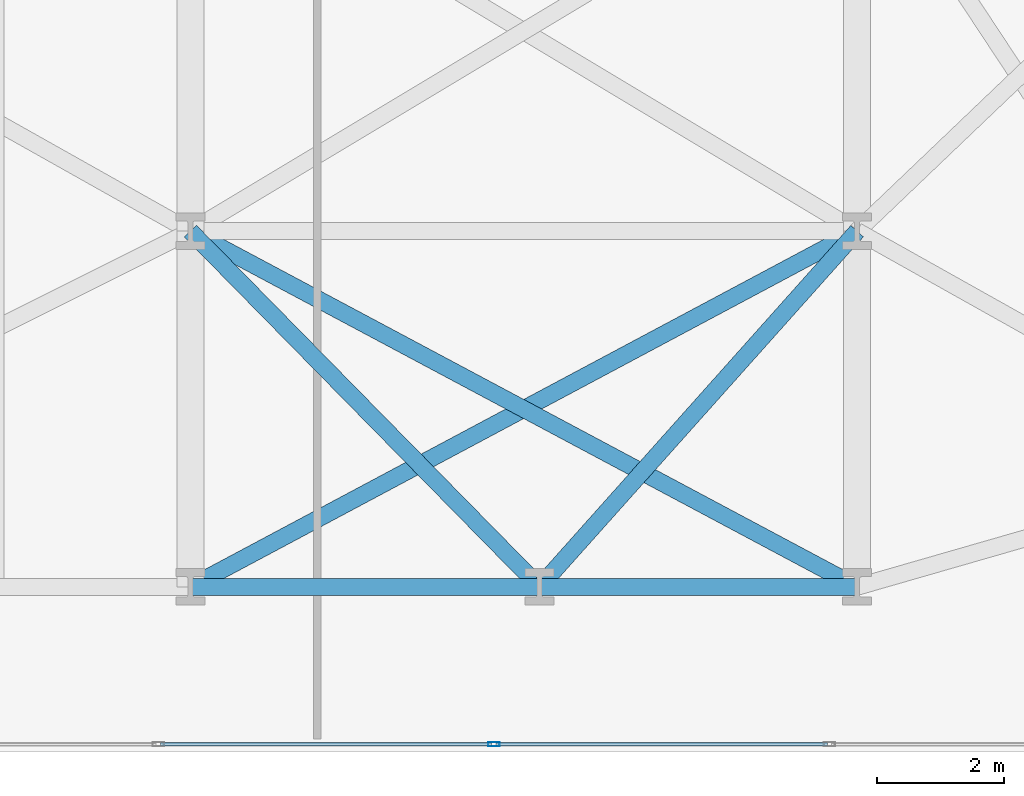
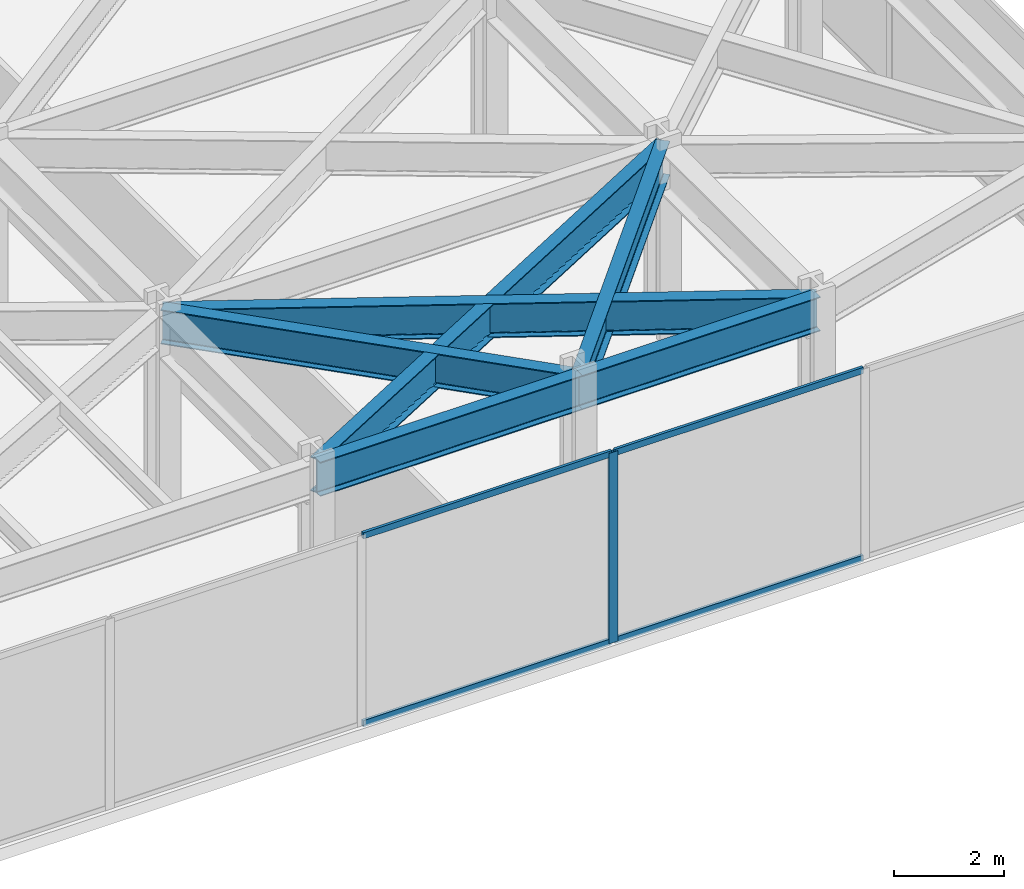
# One storey, part 17 of 28: 6 beams, 5 members, 1 element without a shape of its own.
"""IFC4 building model written with IfcOpenShell, lengths in metres."""

import ifcopenshell
import ifcopenshell.guid

model = None  # the IFC model being written
_history = None  # IfcOwnerHistory: only IFC2X3 demands one
_inside = {}  # id of a spatial element -> (the spatial element, [elements in it])
_under = {}  # id of a project, library or spatial element -> (it, [spatial elements below it])
_declared = {}  # id of a project -> (the project, [libraries it declares])
_typed = {}  # id of a type object -> (the type object, [elements of that type])
_made_of = {}  # id of a material, layer set ... -> (it, [elements and type objects made of it])


def new_model(schema):
    """Start an empty IFC model of exactly this schema.

    Asked for "IFC4X3", IfcOpenShell would pick the latest addendum, in which some entities
    have other attributes; the version numbers below select the first issue.
    IFC2X3 requires an IfcOwnerHistory on every rooted entity: one is made here for all.
    """
    global model, _history
    if schema == "IFC4X3":
        model = ifcopenshell.file(schema_version=(4, 3, 0, 0))
    else:
        model = ifcopenshell.file(schema=schema)
    _inside.clear()
    _under.clear()
    _declared.clear()
    _typed.clear()
    _made_of.clear()
    _history = None
    if model.schema == "IFC2X3":
        org = make("IfcOrganization", Name="unknown")
        user = make(
            "IfcPersonAndOrganization",
            ThePerson=make("IfcPerson", FamilyName="unknown"),
            TheOrganization=org,
        )
        app = make(
            "IfcApplication",
            ApplicationDeveloper=org,
            Version="unknown",
            ApplicationFullName="unknown",
            ApplicationIdentifier="unknown",
        )
        _history = make(
            "IfcOwnerHistory",
            OwningUser=user,
            OwningApplication=app,
            ChangeAction="ADDED",
            CreationDate=0,
        )
    return model


def make(cls, **values):
    """One entity of the class cls with the attributes given. An attribute that is None is left unset."""
    return model.create_entity(
        cls, **{name: value for name, value in values.items() if value is not None}
    )


def rooted(cls, **values):
    """An entity with a GlobalId (a new one), such as an element, a storey or a relation."""
    return make(cls, GlobalId=ifcopenshell.guid.new(), OwnerHistory=_history, **values)


def si_unit(unit_type, name, prefix=None):
    """IfcSIUnit, for example si_unit("LENGTHUNIT", "METRE", prefix="MILLI")."""
    return make("IfcSIUnit", UnitType=unit_type, Prefix=prefix, Name=name)


def assignment(units):
    """IfcUnitAssignment: the units of a project."""
    return None if units is None else make("IfcUnitAssignment", Units=units)


def point(xyz):
    """IfcCartesianPoint."""
    return None if xyz is None else make("IfcCartesianPoint", Coordinates=xyz)


def direction(xyz):
    """IfcDirection."""
    return None if xyz is None else make("IfcDirection", DirectionRatios=xyz)


def frame(location, z_axis=None, x_axis=None):
    """IfcAxis2Placement3D, a coordinate frame: its origin and axes. An axis left out is left unset."""
    return make(
        "IfcAxis2Placement3D",
        Location=point(location),
        Axis=direction(z_axis),
        RefDirection=direction(x_axis),
    )


def frame_2d(location, x_axis=None):
    """IfcAxis2Placement2D, a coordinate frame in the plane: its origin and x axis."""
    return make(
        "IfcAxis2Placement2D", Location=point(location), RefDirection=direction(x_axis)
    )


def origin():
    """The frame at (0, 0, 0) with its axes left unset."""
    return frame((0.0, 0.0, 0.0))


def origin_2d():
    """The frame at (0, 0) in the plane with its x axis left unset."""
    return frame_2d((0.0, 0.0))


def place(relative_to, where):
    """IfcLocalPlacement: puts the frame where relative to a parent placement (None: the world)."""
    return make(
        "IfcLocalPlacement", PlacementRelTo=relative_to, RelativePlacement=where
    )


def context(
    kind, dimensions, precision=None, world=None, true_north=None, identifier=None
):
    """IfcGeometricRepresentationContext, for example the 3D "Model" context."""
    return make(
        "IfcGeometricRepresentationContext",
        ContextIdentifier=identifier,
        ContextType=kind,
        CoordinateSpaceDimension=dimensions,
        Precision=precision,
        WorldCoordinateSystem=world,
        TrueNorth=true_north,
    )


def subcontext(parent, identifier, kind, view, scale=None):
    """IfcGeometricRepresentationSubContext, for example "Body" below "Model"."""
    return make(
        "IfcGeometricRepresentationSubContext",
        ContextIdentifier=identifier,
        ContextType=kind,
        ParentContext=parent,
        TargetScale=scale,
        TargetView=view,
    )


def project(units=None, contexts=None):
    """IfcProject with its units and contexts."""
    return rooted(
        "IfcProject",
        Name="project",
        RepresentationContexts=contexts,
        UnitsInContext=assignment(units),
    )


def spatial(cls, under=None, at=None, **own):
    """A site, building, storey or space (cls), placed at a placement, below another one or the project."""
    s = rooted(cls, ObjectPlacement=at, **own)
    if under is not None:
        _under.setdefault(under.id(), (under, []))[1].append(s)
    return s


def profile(cls, at=None, kind="AREA", **sizes):
    """A parametric profile (cls). Its sizes go by their IFC names, for example OverallWidth=200.0."""
    return make(cls, ProfileType=kind, Position=at, **sizes)


def hollow_rectangle(**sizes):
    """IfcRectangleHollowProfileDef."""
    return profile("IfcRectangleHollowProfileDef", **sizes)


def i_section(**sizes):
    """IfcIShapeProfileDef."""
    return profile("IfcIShapeProfileDef", **sizes)


def extrude(swept, where, along, depth):
    """IfcExtrudedAreaSolid: the profile swept, set in the frame where, extruded along a direction by depth."""
    return make(
        "IfcExtrudedAreaSolid",
        SweptArea=swept,
        Position=where,
        ExtrudedDirection=direction(along),
        Depth=depth,
    )


def shape(context_of_items, identifier, shape_type, items):
    """IfcShapeRepresentation: the items that make up one representation, for example the "Body"."""
    return make(
        "IfcShapeRepresentation",
        ContextOfItems=context_of_items,
        RepresentationIdentifier=identifier,
        RepresentationType=shape_type,
        Items=items,
    )


def material(Name=None, Category=None):
    """IfcMaterial."""
    return make("IfcMaterial", Name=Name, Category=Category)


def layer(
    of_material, thickness, ventilated=None, Name=None, Category=None, Priority=None
):
    """IfcMaterialLayer: one layer of a wall or slab, of a material (None: an air gap)."""
    return make(
        "IfcMaterialLayer",
        Material=of_material,
        LayerThickness=thickness,
        IsVentilated=ventilated,
        Name=Name,
        Category=Category,
        Priority=Priority,
    )


def layer_set(layers, Name=None):
    """IfcMaterialLayerSet."""
    return make("IfcMaterialLayerSet", MaterialLayers=layers, LayerSetName=Name)


def material_profile(
    of_material, cross_section, Name=None, Category=None, Priority=None
):
    """IfcMaterialProfile: a cross section and its material."""
    return make(
        "IfcMaterialProfile",
        Name=Name,
        Material=of_material,
        Profile=cross_section,
        Priority=Priority,
        Category=Category,
    )


def profile_set(profiles, Name=None, composite=None):
    """IfcMaterialProfileSet."""
    return make(
        "IfcMaterialProfileSet",
        Name=Name,
        MaterialProfiles=profiles,
        CompositeProfile=composite,
    )


def made_of(thing, what):
    """Note that an element or type object is made of a material, layer set ...; save() writes the relation."""
    if what is not None:
        _made_of.setdefault(what.id(), (what, []))[1].append(thing)
    return thing


def type_object(cls, material=None, **own):
    """A type object (cls), such as IfcWallType, which elements share."""
    return made_of(rooted(cls, **own), material)


def element(
    cls,
    number,
    at=None,
    inside=None,
    cuts=None,
    type_object=None,
    material=None,
    context=None,
    identifier="Body",
    shape_type=None,
    held_by="IfcProductDefinitionShape",
    body=None,
    shapes=None,
    **own,
):
    """One element of the class cls, such as IfcWall. Its Tag is "e" and its number.

    at: its placement. inside: the storey or other place that contains it. cuts: it is an
    opening in that element (IfcRelVoidsElement). A single representation is given by context,
    identifier, shape_type and body (its items); several are given by shapes. held_by: the class
    of the entity that holds the representations. save() writes the other relations.
    """
    e = rooted(cls, Tag="e%d" % number, ObjectPlacement=at, **own)
    if body is not None:
        shapes = [shape(context, identifier, shape_type, body)]
    if shapes is not None:
        e.Representation = make(held_by, Representations=shapes)
    if inside is not None:
        _inside.setdefault(inside.id(), (inside, []))[1].append(e)
    if cuts is not None:
        rooted(
            "IfcRelVoidsElement", RelatingBuildingElement=cuts, RelatedOpeningElement=e
        )
    if type_object is not None:
        _typed.setdefault(type_object.id(), (type_object, []))[1].append(e)
    return made_of(e, material)


def aggregate(whole, parts):
    """IfcRelAggregates: a whole, such as a stair, and the parts it consists of."""
    return rooted("IfcRelAggregates", RelatingObject=whole, RelatedObjects=parts)


def save(model, path):
    """Write the relations noted so far, then the file.

    IfcRelAggregates (storeys below a building ...), IfcRelContainedInSpatialStructure (elements
    in a storey), IfcRelDefinesByType, IfcRelAssociatesMaterial and IfcRelDeclares: one each for
    every whole, place, type object, material and project.
    """
    for whole, parts in _under.values():
        aggregate(whole, parts)
    for where, things in _inside.values():
        rooted(
            "IfcRelContainedInSpatialStructure",
            RelatedElements=things,
            RelatingStructure=where,
        )
    for kind, things in _typed.values():
        rooted("IfcRelDefinesByType", RelatedObjects=things, RelatingType=kind)
    for what, things in _made_of.values():
        rooted("IfcRelAssociatesMaterial", RelatedObjects=things, RelatingMaterial=what)
    for by, libraries in _declared.values():
        rooted("IfcRelDeclares", RelatingContext=by, RelatedDefinitions=libraries)
    model.write(path)


model = new_model("IFC4")

# Units and contexts
model_context = context("Model", 3, precision=1e-05, world=origin(), true_north=direction((0.0, 1.0)))
body_context = subcontext(model_context, "Body", "Model", "MODEL_VIEW")
ifc_project = project(units=[si_unit("LENGTHUNIT", "METRE"), si_unit("AREAUNIT", "SQUARE_METRE"), si_unit("VOLUMEUNIT", "CUBIC_METRE"), si_unit("PLANEANGLEUNIT", "RADIAN"), si_unit("MASSUNIT", "GRAM", prefix="KILO")], contexts=[model_context])

# Site, building, storey
site_placement = place(None, origin())
site = spatial("IfcSite", under=ifc_project, at=site_placement, CompositionType="ELEMENT")
building_placement = place(site_placement, origin())
building = spatial("IfcBuilding", under=site, at=building_placement, Name="Kravanh Interchange Tower", CompositionType="ELEMENT")
storey_placement = place(building_placement, frame((0.0, 0.0, 10.800048828125)))
storey = spatial("IfcBuildingStorey", under=building, at=storey_placement, Name="L02", CompositionType="ELEMENT", Elevation=10.800048828125)

# Curtain wall, members
ifc_material_1 = material(Name="Anodised Bronze Aluminium", Category="aluminium")
ifc_layer = layer(ifc_material_1, 0.179931640625)
ifc_layer_set = layer_set([ifc_layer], Name="Unitised Curtain Wall System CW-POD Podium Concourse")
curtain_wall_type = type_object("IfcCurtainWallType", Name="Unitised Curtain Wall System CW-POD Podium Concourse", PredefinedType="NOTDEFINED", material=ifc_layer_set)
curtain_wall_placement = place(storey_placement, origin())
curtain_wall = element("IfcCurtainWall", 1, at=curtain_wall_placement, inside=storey, type_object=curtain_wall_type, Name="L02 Unitised Curtain Wall CW-L02-04", PredefinedType="NOTDEFINED")
ifc_material_2 = material(Name="Anodised Bronze Aluminium", Category="aluminium")
ifc_material_profile_1 = material_profile(ifc_material_2, hollow_rectangle(XDim=0.070068359375, YDim=0.179931640625, WallThickness=0.00390625, at=origin_2d()), Name="ALU70X180X4")
ifc_profile_set_1 = profile_set([ifc_material_profile_1], Name="Anodised Bronze Aluminium")
member_type_1 = type_object("IfcMemberType", Name="Curtain Wall Mullion ALU70X180X4 Bronze", PredefinedType="MULLION", material=ifc_profile_set_1)
member_1_placement = place(storey_placement, frame((60.781005859375, 0.1201171875, 0.0), z_axis=(0.0, 0.0, 1.0), x_axis=(0.0, -1.0, 0.0)))
member_1 = element("IfcMember", 2, at=member_1_placement, type_object=member_type_1, Name="CW-POD mullion 3", PredefinedType="MULLION", context=body_context, shape_type="SweptSolid", body=[
    extrude(hollow_rectangle(XDim=0.070068359375, YDim=0.179931640625, WallThickness=0.00390625, at=origin_2d()), origin(), (0.0, 0.0, 1.0), 4.22998046875),
])
ifc_material_3 = material(Name="Anodised Bronze Aluminium", Category="aluminium")
ifc_material_profile_2 = material_profile(ifc_material_3, hollow_rectangle(XDim=0.06005859375, YDim=0.139892578125, WallThickness=0.00390625, at=origin_2d()), Name="ALU60X140X4")
ifc_profile_set_2 = profile_set([ifc_material_profile_2], Name="Anodised Bronze Aluminium")
member_type_2 = type_object("IfcMemberType", Name="Curtain Wall Transom ALU60X140X4 Bronze", PredefinedType="USERDEFINED", material=ifc_profile_set_2)
member_2_placement = place(storey_placement, frame((66.030517578125, 0.1201171875, 0.030029296875), z_axis=(-1.0, 0.0, 0.0), x_axis=(0.0, -1.0, 0.0)))
member_2 = element("IfcMember", 3, at=member_2_placement, type_object=member_type_2, Name="CW-POD transom 2.1", ObjectType="TRANSOM", PredefinedType="USERDEFINED", context=body_context, shape_type="SweptSolid", body=[
    extrude(hollow_rectangle(XDim=0.06005859375, YDim=0.139892578125, WallThickness=0.00390625, at=origin_2d()), origin(), (0.0, 0.0, 1.0), 5.214599609375),
])
member_3_placement = place(storey_placement, frame((66.030517578125, 0.1201171875, 4.199951171875), z_axis=(-1.0, 0.0, 0.0), x_axis=(0.0, -1.0, 0.0)))
member_3 = element("IfcMember", 4, at=member_3_placement, type_object=member_type_2, Name="CW-POD transom 2.2", ObjectType="TRANSOM", PredefinedType="USERDEFINED", context=body_context, shape_type="SweptSolid", body=[
    extrude(hollow_rectangle(XDim=0.06005859375, YDim=0.139892578125, WallThickness=0.00390625, at=origin_2d()), origin(), (0.0, 0.0, 1.0), 5.214599609375),
])
member_4_placement = place(storey_placement, frame((60.74609375, 0.1201171875, 0.030029296875), z_axis=(-1.0, 0.0, 0.0), x_axis=(0.0, -1.0, 0.0)))
member_4 = element("IfcMember", 5, at=member_4_placement, type_object=member_type_2, Name="CW-POD transom 3.1", ObjectType="TRANSOM", PredefinedType="USERDEFINED", context=body_context, shape_type="SweptSolid", body=[
    extrude(hollow_rectangle(XDim=0.06005859375, YDim=0.139892578125, WallThickness=0.00390625, at=origin_2d()), origin(), (0.0, 0.0, 1.0), 5.21484375),
])
member_5_placement = place(storey_placement, frame((60.74609375, 0.1201171875, 4.199951171875), z_axis=(-1.0, 0.0, 0.0), x_axis=(0.0, -1.0, 0.0)))
member_5 = element("IfcMember", 6, at=member_5_placement, type_object=member_type_2, Name="CW-POD transom 3.2", ObjectType="TRANSOM", PredefinedType="USERDEFINED", context=body_context, shape_type="SweptSolid", body=[
    extrude(hollow_rectangle(XDim=0.06005859375, YDim=0.139892578125, WallThickness=0.00390625, at=origin_2d()), origin(), (0.0, 0.0, 1.0), 5.21484375),
])
aggregate(curtain_wall, [member_1, member_2, member_3, member_4, member_5])

# Beams
ifc_material_4 = material(Name="Structural Steel S355", Category="steel")
ifc_material_profile_3 = material_profile(ifc_material_4, i_section(OverallWidth=0.26708984375, OverallDepth=0.761962890625, WebThickness=0.014404296875, FlangeThickness=0.021484375, FilletRadius=0.02490234375, at=origin_2d()), Name="W30X116")
ifc_profile_set_3 = profile_set([ifc_material_profile_3], Name="Structural Steel S355")
beam_type = type_object("IfcBeamType", Name="Floor Spandrel W30X116 Structural Steel S355", PredefinedType="SPANDREL", material=ifc_profile_set_3)
beam_1_placement = place(storey_placement, frame((56.0, 2.60009765625, 3.848876953125), z_axis=(1.0, 0.0, 0.0), x_axis=(0.0, 1.0, 0.0)))
element("IfcBeam", 7, at=beam_1_placement, inside=storey, type_object=beam_type, Name="L02 Perimeter Spandrel 13", PredefinedType="SPANDREL", context=body_context, shape_type="SweptSolid", body=[
    extrude(i_section(OverallWidth=0.26708984375, OverallDepth=0.761962890625, WebThickness=0.014404296875, FlangeThickness=0.021484375, FilletRadius=0.02490234375, at=origin_2d()), origin(), (0.0, 0.0, 1.0), 5.5),
])
beam_2_placement = place(storey_placement, frame((56.0, 2.60009765625, 3.848876953125), z_axis=(0.882358052411, 0.470578651603, 0.0), x_axis=(-0.470578651603, 0.882358052411, 0.0)))
element("IfcBeam", 8, at=beam_2_placement, inside=storey, type_object=beam_type, Name="L02 Perimeter Spandrel 15", PredefinedType="SPANDREL", context=body_context, shape_type="SweptSolid", body=[
    extrude(i_section(OverallWidth=0.26708984375, OverallDepth=0.761962890625, WebThickness=0.014404296875, FlangeThickness=0.021484375, FilletRadius=0.02490234375, at=origin_2d()), origin(), (0.0, 0.0, 1.0), 11.89990234375),
])
beam_3_placement = place(storey_placement, frame((61.5, 2.60009765625, 3.848876953125), z_axis=(1.0, 0.0, 0.0), x_axis=(0.0, 1.0, 0.0)))
element("IfcBeam", 9, at=beam_3_placement, inside=storey, type_object=beam_type, Name="L02 Perimeter Spandrel 16", PredefinedType="SPANDREL", context=body_context, shape_type="SweptSolid", body=[
    extrude(i_section(OverallWidth=0.26708984375, OverallDepth=0.761962890625, WebThickness=0.014404296875, FlangeThickness=0.021484375, FilletRadius=0.02490234375, at=origin_2d()), origin(), (0.0, 0.0, 1.0), 5.0),
])
beam_4_placement = place(storey_placement, frame((61.5, 2.60009765625, 3.848876953125), z_axis=(0.666025463167, 0.745929006282, 0.0), x_axis=(-0.745929006282, 0.666025463167, 0.0)))
element("IfcBeam", 10, at=beam_4_placement, inside=storey, type_object=beam_type, Name="L02 Perimeter Spandrel 17", PredefinedType="SPANDREL", context=body_context, shape_type="SweptSolid", body=[
    extrude(i_section(OverallWidth=0.26708984375, OverallDepth=0.761962890625, WebThickness=0.014404296875, FlangeThickness=0.021484375, FilletRadius=0.02490234375, at=origin_2d()), origin(), (0.0, 0.0, 1.0), 7.50732421875),
])
beam_5_placement = place(storey_placement, frame((61.5, 2.60009765625, 3.848876953125), z_axis=(-0.700717344595, 0.71343899738, 0.0), x_axis=(-0.71343899738, -0.700717344595, 0.0)))
element("IfcBeam", 11, at=beam_5_placement, inside=storey, type_object=beam_type, Name="L02 Perimeter Spandrel 18", PredefinedType="SPANDREL", context=body_context, shape_type="SweptSolid", body=[
    extrude(i_section(OverallWidth=0.26708984375, OverallDepth=0.761962890625, WebThickness=0.014404296875, FlangeThickness=0.021484375, FilletRadius=0.02490234375, at=origin_2d()), origin(), (0.0, 0.0, 1.0), 7.84912109375),
])
beam_6_placement = place(storey_placement, frame((66.5, 2.60009765625, 3.848876953125), z_axis=(-0.882358052411, 0.470578651603, 0.0), x_axis=(-0.470578651603, -0.882358052411, 0.0)))
element("IfcBeam", 12, at=beam_6_placement, inside=storey, type_object=beam_type, Name="L02 Perimeter Spandrel 22", PredefinedType="SPANDREL", context=body_context, shape_type="SweptSolid", body=[
    extrude(i_section(OverallWidth=0.26708984375, OverallDepth=0.761962890625, WebThickness=0.014404296875, FlangeThickness=0.021484375, FilletRadius=0.02490234375, at=origin_2d()), origin(), (0.0, 0.0, 1.0), 11.89990234375),
])

save(model, "model.ifc")
